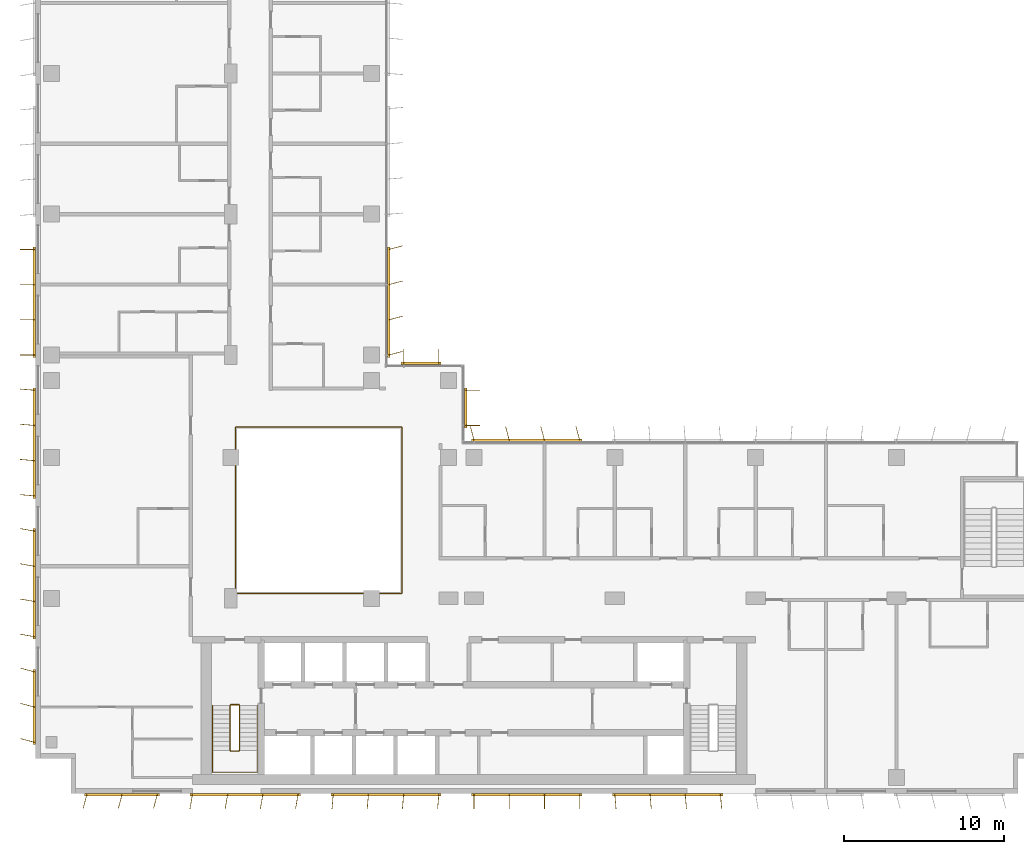
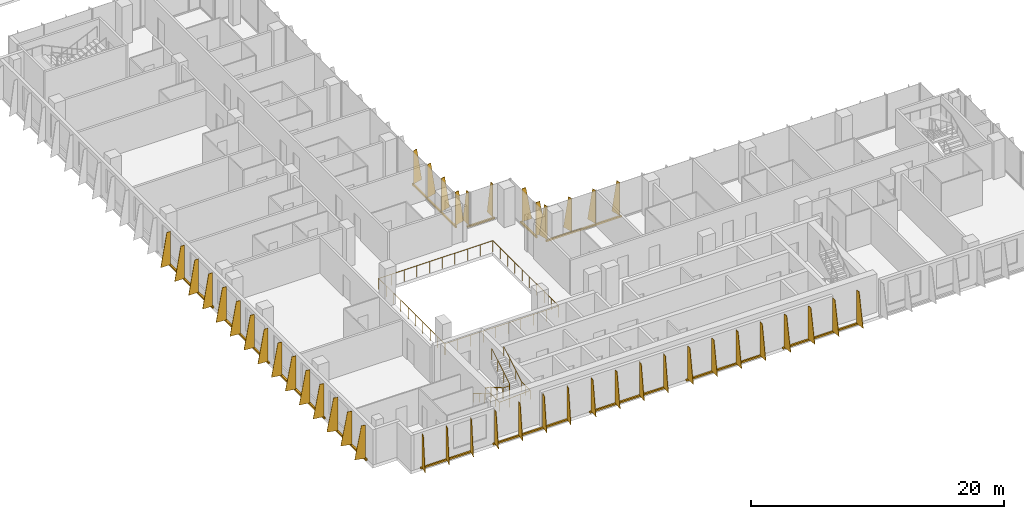
# One storey, part 19 of 21: 13 shading devices, 3 railings.
"""IFC4 building model written with IfcOpenShell, lengths in metres."""

from ifc_helpers import new_model, si_unit, direction, frame, origin, origin_2d, place, context, subcontext, project, spatial, polyline, rectangle, circle, outline, extrude, source, transform, mapped, material, layer, layer_set, type_object, element, save


model = new_model("IFC4")

# Units and contexts
model_context = context("Model", 3, precision=1e-05, world=origin(), true_north=direction((0.0, 1.0)))
body_context = subcontext(model_context, "Body", "Model", "MODEL_VIEW")
ifc_project = project(units=[si_unit("LENGTHUNIT", "METRE"), si_unit("AREAUNIT", "SQUARE_METRE"), si_unit("VOLUMEUNIT", "CUBIC_METRE"), si_unit("PLANEANGLEUNIT", "RADIAN"), si_unit("MASSUNIT", "GRAM", prefix="KILO")], contexts=[model_context])

# Site, building, storey
site_placement = place(None, origin())
site = spatial("IfcSite", under=ifc_project, at=site_placement, CompositionType="ELEMENT")
building_placement = place(site_placement, origin())
building = spatial("IfcBuilding", under=site, at=building_placement, Name="Kemantara Hotel Tower", CompositionType="ELEMENT")
storey_placement = place(building_placement, frame((0.0, 0.0, 156.800048828125)))
storey = spatial("IfcBuildingStorey", under=building, at=storey_placement, Name="L38", CompositionType="ELEMENT", Elevation=156.800048828125)

# Railings
ifc_material_1 = material(Name="Stainless steel and laminated glass balustrade", Category="steel")
railing_type_1 = type_object("IfcRailingType", Name="ATRIUM GUARD 1100", PredefinedType="GUARDRAIL", material=ifc_material_1)
railing_1_placement = place(storey_placement, frame((12.56005859375, 12.5, 0.0)))
element("IfcRailing", 1, at=railing_1_placement, inside=storey, type_object=railing_type_1, Name="ATRIUM GUARD L38", PredefinedType="GUARDRAIL", context=body_context, shape_type="SweptSolid", body=[
    extrude(circle(Radius=0.02490234375, at=origin_2d()), frame((0.0, 0.0, 1.0751953125), z_axis=(1.0, 0.0, 0.0), x_axis=(0.0, 1.0, 0.0)), (0.0, 0.0, 1.0), 10.33984375),
    extrude(circle(Radius=0.02490234375, at=origin_2d()), frame((10.33984375, 0.0, 1.0751953125), z_axis=(0.0, 1.0, 0.0), x_axis=(-1.0, 0.0, 0.0)), (0.0, 0.0, 1.0), 10.39990234375),
    extrude(circle(Radius=0.02490234375, at=origin_2d()), frame((10.33984375, 10.39990234375, 1.0751953125), z_axis=(-1.0, 0.0, 0.0), x_axis=(0.0, -1.0, 0.0)), (0.0, 0.0, 1.0), 10.39990234375),
    extrude(circle(Radius=0.02490234375, at=origin_2d()), frame((-0.06005859375, 10.39990234375, 1.0751953125), z_axis=(0.0, -1.0, 0.0), x_axis=(1.0, 0.0, 0.0)), (0.0, 0.0, 1.0), 10.39990234375),
    extrude(circle(Radius=0.02001953125, at=origin_2d()), origin(), (0.0, 0.0, 1.0), 1.050048828125),
    extrude(circle(Radius=0.02001953125, at=origin_2d()), frame((1.14892578125, 0.0, 0.0)), (0.0, 0.0, 1.0), 1.050048828125),
    extrude(circle(Radius=0.02001953125, at=origin_2d()), frame((2.2978515625, 0.0, 0.0)), (0.0, 0.0, 1.0), 1.050048828125),
    extrude(circle(Radius=0.02001953125, at=origin_2d()), frame((3.446533203125, 0.0, 0.0)), (0.0, 0.0, 1.0), 1.050048828125),
    extrude(circle(Radius=0.02001953125, at=origin_2d()), frame((4.595458984375, 0.0, 0.0)), (0.0, 0.0, 1.0), 1.050048828125),
    extrude(circle(Radius=0.02001953125, at=origin_2d()), frame((5.744384765625, 0.0, 0.0)), (0.0, 0.0, 1.0), 1.050048828125),
    extrude(circle(Radius=0.02001953125, at=origin_2d()), frame((6.893310546875, 0.0, 0.0)), (0.0, 0.0, 1.0), 1.050048828125),
    extrude(circle(Radius=0.02001953125, at=origin_2d()), frame((8.0419921875, 0.0, 0.0)), (0.0, 0.0, 1.0), 1.050048828125),
    extrude(circle(Radius=0.02001953125, at=origin_2d()), frame((9.19091796875, 0.0, 0.0)), (0.0, 0.0, 1.0), 1.050048828125),
    extrude(circle(Radius=0.02001953125, at=origin_2d()), frame((10.33984375, 0.0, 0.0)), (0.0, 0.0, 1.0), 1.050048828125),
    extrude(circle(Radius=0.02001953125, at=origin_2d()), frame((10.33984375, 1.155517578125, 0.0)), (0.0, 0.0, 1.0), 1.050048828125),
    extrude(circle(Radius=0.02001953125, at=origin_2d()), frame((10.33984375, 2.31103515625, 0.0)), (0.0, 0.0, 1.0), 1.050048828125),
    extrude(circle(Radius=0.02001953125, at=origin_2d()), frame((10.33984375, 3.466552734375, 0.0)), (0.0, 0.0, 1.0), 1.050048828125),
    extrude(circle(Radius=0.02001953125, at=origin_2d()), frame((10.33984375, 4.6220703125, 0.0)), (0.0, 0.0, 1.0), 1.050048828125),
    extrude(circle(Radius=0.02001953125, at=origin_2d()), frame((10.33984375, 5.77783203125, 0.0)), (0.0, 0.0, 1.0), 1.050048828125),
    extrude(circle(Radius=0.02001953125, at=origin_2d()), frame((10.33984375, 6.933349609375, 0.0)), (0.0, 0.0, 1.0), 1.050048828125),
    extrude(circle(Radius=0.02001953125, at=origin_2d()), frame((10.33984375, 8.0888671875, 0.0)), (0.0, 0.0, 1.0), 1.050048828125),
    extrude(circle(Radius=0.02001953125, at=origin_2d()), frame((10.33984375, 9.244384765625, 0.0)), (0.0, 0.0, 1.0), 1.050048828125),
    extrude(circle(Radius=0.02001953125, at=origin_2d()), frame((10.33984375, 10.39990234375, 0.0)), (0.0, 0.0, 1.0), 1.050048828125),
    extrude(circle(Radius=0.02001953125, at=origin_2d()), frame((9.184326171875, 10.39990234375, 0.0)), (0.0, 0.0, 1.0), 1.050048828125),
    extrude(circle(Radius=0.02001953125, at=origin_2d()), frame((8.02880859375, 10.39990234375, 0.0)), (0.0, 0.0, 1.0), 1.050048828125),
    extrude(circle(Radius=0.02001953125, at=origin_2d()), frame((6.873291015625, 10.39990234375, 0.0)), (0.0, 0.0, 1.0), 1.050048828125),
    extrude(circle(Radius=0.02001953125, at=origin_2d()), frame((5.7177734375, 10.39990234375, 0.0)), (0.0, 0.0, 1.0), 1.050048828125),
    extrude(circle(Radius=0.02001953125, at=origin_2d()), frame((4.56201171875, 10.39990234375, 0.0)), (0.0, 0.0, 1.0), 1.050048828125),
    extrude(circle(Radius=0.02001953125, at=origin_2d()), frame((3.406494140625, 10.39990234375, 0.0)), (0.0, 0.0, 1.0), 1.050048828125),
    extrude(circle(Radius=0.02001953125, at=origin_2d()), frame((2.2509765625, 10.39990234375, 0.0)), (0.0, 0.0, 1.0), 1.050048828125),
    extrude(circle(Radius=0.02001953125, at=origin_2d()), frame((1.095458984375, 10.39990234375, 0.0)), (0.0, 0.0, 1.0), 1.050048828125),
    extrude(circle(Radius=0.02001953125, at=origin_2d()), frame((-0.06005859375, 10.39990234375, 0.0)), (0.0, 0.0, 1.0), 1.050048828125),
    extrude(circle(Radius=0.02001953125, at=origin_2d()), frame((-0.06005859375, 9.244384765625, 0.0)), (0.0, 0.0, 1.0), 1.050048828125),
    extrude(circle(Radius=0.02001953125, at=origin_2d()), frame((-0.06005859375, 8.0888671875, 0.0)), (0.0, 0.0, 1.0), 1.050048828125),
    extrude(circle(Radius=0.02001953125, at=origin_2d()), frame((-0.06005859375, 6.933349609375, 0.0)), (0.0, 0.0, 1.0), 1.050048828125),
    extrude(circle(Radius=0.02001953125, at=origin_2d()), frame((-0.06005859375, 5.77783203125, 0.0)), (0.0, 0.0, 1.0), 1.050048828125),
    extrude(circle(Radius=0.02001953125, at=origin_2d()), frame((-0.06005859375, 4.6220703125, 0.0)), (0.0, 0.0, 1.0), 1.050048828125),
    extrude(circle(Radius=0.02001953125, at=origin_2d()), frame((-0.06005859375, 3.466552734375, 0.0)), (0.0, 0.0, 1.0), 1.050048828125),
    extrude(circle(Radius=0.02001953125, at=origin_2d()), frame((-0.06005859375, 2.31103515625, 0.0)), (0.0, 0.0, 1.0), 1.050048828125),
    extrude(circle(Radius=0.02001953125, at=origin_2d()), frame((-0.06005859375, 1.155517578125, 0.0)), (0.0, 0.0, 1.0), 1.050048828125),
    extrude(circle(Radius=0.02001953125, at=origin_2d()), frame((-0.06005859375, 0.0, 0.0)), (0.0, 0.0, 1.0), 1.050048828125),
])
ifc_material_2 = material(Name="Stainless steel balustrade", Category="steel")
railing_type_2 = type_object("IfcRailingType", Name="Stair guard 1100 mm", PredefinedType="GUARDRAIL", material=ifc_material_2)
railing_2_placement = place(storey_placement, frame((12.75, 5.5, 3.699951171875)))
element("IfcRailing", 2, at=railing_2_placement, inside=storey, type_object=railing_type_2, Name="L38 ST1 stair guard 1", PredefinedType="GUARDRAIL", context=body_context, shape_type="SweptSolid", body=[
    extrude(circle(Radius=0.02392578125, at=origin_2d()), frame((0.0, 0.0, 1.076171875), z_axis=(0.0, -0.857242210791, -0.514913383045), x_axis=(1.0, 0.0, 0.0)), (0.0, 0.0, 1.0), 3.266357421875),
    extrude(circle(Radius=0.02392578125, at=origin_2d()), frame((0.0, -2.800048828125, -0.60595703125), z_axis=(-0.274243871929, -0.274243871929, -0.92172696468), x_axis=(0.707106781187, -0.707106781187, 0.0)), (0.0, 0.0, 1.0), 0.1826171875),
    extrude(circle(Radius=0.02392578125, at=origin_2d()), frame((-0.050048828125, -2.85009765625, -0.77392578125), z_axis=(-1.0, 0.0, 0.0), x_axis=(0.0, -1.0, 0.0)), (0.0, 0.0, 1.0), 0.5),
    extrude(circle(Radius=0.02392578125, at=origin_2d()), frame((-0.550048828125, -2.85009765625, -0.77392578125), z_axis=(-0.707106781187, 0.707106781187, 0.0), x_axis=(-0.707106781187, -0.707106781187, 0.0)), (0.0, 0.0, 1.0), 0.07080078125),
    extrude(circle(Radius=0.02392578125, at=origin_2d()), frame((-0.60009765625, -2.800048828125, -0.77392578125), z_axis=(0.0, 0.857275202839, -0.514858452973), x_axis=(-1.0, 0.0, 0.0)), (0.0, 0.0, 1.0), 3.26611328125),
    extrude(circle(Radius=0.02392578125, at=origin_2d()), frame((-0.60009765625, 0.0, -2.45556640625), z_axis=(0.274243871929, 0.274243871929, -0.92172696468), x_axis=(-0.707106781187, 0.707106781187, 0.0)), (0.0, 0.0, 1.0), 0.1826171875),
    extrude(circle(Radius=0.02392578125, at=origin_2d()), frame((-0.550048828125, 0.050048828125, -2.6240234375), z_axis=(1.0, 0.0, 0.0), x_axis=(0.0, 1.0, 0.0)), (0.0, 0.0, 1.0), 0.5),
    extrude(circle(Radius=0.02099609375, at=origin_2d()), origin(), (0.0, 0.0, 1.0), 1.052001953125),
    extrude(circle(Radius=0.02099609375, at=origin_2d()), frame((0.0, -0.933349609375, -0.560546875)), (0.0, 0.0, 1.0), 1.052001953125),
    extrude(circle(Radius=0.02099609375, at=origin_2d()), frame((0.0, -1.86669921875, -1.121337890625)), (0.0, 0.0, 1.0), 1.052001953125),
    extrude(circle(Radius=0.02099609375, at=origin_2d()), frame((0.0, -2.800048828125, -1.681884765625)), (0.0, 0.0, 1.0), 1.052001953125),
    extrude(circle(Radius=0.02099609375, at=origin_2d()), frame((-0.050048828125, -2.85009765625, -1.85009765625)), (0.0, 0.0, 1.0), 1.052001953125),
    extrude(circle(Radius=0.02099609375, at=origin_2d()), frame((-0.550048828125, -2.85009765625, -1.85009765625)), (0.0, 0.0, 1.0), 1.052001953125),
    extrude(circle(Radius=0.02099609375, at=origin_2d()), frame((-0.60009765625, -2.800048828125, -1.85009765625)), (0.0, 0.0, 1.0), 1.052001953125),
    extrude(circle(Radius=0.02099609375, at=origin_2d()), frame((-0.60009765625, -1.86669921875, -2.41064453125)), (0.0, 0.0, 1.0), 1.052001953125),
    extrude(circle(Radius=0.02099609375, at=origin_2d()), frame((-0.60009765625, -0.933349609375, -2.97119140625)), (0.0, 0.0, 1.0), 1.052001953125),
    extrude(circle(Radius=0.02099609375, at=origin_2d()), frame((-0.60009765625, 0.0, -3.53173828125)), (0.0, 0.0, 1.0), 1.052001953125),
    extrude(circle(Radius=0.02099609375, at=origin_2d()), frame((-0.550048828125, 0.050048828125, -3.699951171875)), (0.0, 0.0, 1.0), 1.052001953125),
    extrude(circle(Radius=0.02099609375, at=origin_2d()), frame((-0.050048828125, 0.050048828125, -3.699951171875)), (0.0, 0.0, 1.0), 1.052001953125),
])
railing_type_3 = type_object("IfcRailingType", Name="Stair handrail 900 mm", PredefinedType="HANDRAIL", material=ifc_material_2)
railing_3_placement = place(storey_placement, frame((11.050048828125, 5.5, 0.168212890625)))
element("IfcRailing", 3, at=railing_3_placement, inside=storey, type_object=railing_type_3, Name="L38 ST1 stair handrail 1", PredefinedType="HANDRAIL", context=body_context, shape_type="SweptSolid", body=[
    extrude(circle(Radius=0.02392578125, at=origin_2d()), frame((0.0, 0.0, 0.8759765625), z_axis=(0.0, -0.857275202839, 0.514858452973), x_axis=(1.0, 0.0, 0.0)), (0.0, 0.0, 1.0), 3.26611328125),
    extrude(circle(Radius=0.02392578125, at=origin_2d()), frame((0.0, -2.800048828125, 2.5576171875), z_axis=(0.0, -1.0, 0.0), x_axis=(1.0, 0.0, 0.0)), (0.0, 0.0, 1.0), 1.3798828125),
    extrude(circle(Radius=0.02392578125, at=origin_2d()), frame((0.0, -4.179931640625, 2.5576171875), z_axis=(0.998200367801, 0.0, 0.059966871865), x_axis=(0.0, 1.0, 0.0)), (0.0, 0.0, 1.0), 2.80517578125),
    extrude(circle(Radius=0.02392578125, at=origin_2d()), frame((2.800048828125, -4.179931640625, 2.7255859375), z_axis=(0.0, 1.0, 0.0), x_axis=(-1.0, 0.0, 0.0)), (0.0, 0.0, 1.0), 1.3798828125),
    extrude(circle(Radius=0.02392578125, at=origin_2d()), frame((2.800048828125, -2.800048828125, 2.7255859375), z_axis=(0.0, 0.857242210791, 0.514913383045), x_axis=(-1.0, 0.0, 0.0)), (0.0, 0.0, 1.0), 3.266357421875),
    extrude(circle(Radius=0.02099609375, at=origin_2d()), origin(), (0.0, 0.0, 1.0), 0.851806640625),
    extrude(circle(Radius=0.02099609375, at=origin_2d()), frame((0.0, -0.933349609375, 0.560546875)), (0.0, 0.0, 1.0), 0.851806640625),
    extrude(circle(Radius=0.02099609375, at=origin_2d()), frame((0.0, -1.86669921875, 1.12109375)), (0.0, 0.0, 1.0), 0.851806640625),
    extrude(circle(Radius=0.02099609375, at=origin_2d()), frame((0.0, -2.800048828125, 1.681640625)), (0.0, 0.0, 1.0), 0.851806640625),
    extrude(circle(Radius=0.02099609375, at=origin_2d()), frame((0.0, -3.489990234375, 1.681640625)), (0.0, 0.0, 1.0), 0.851806640625),
    extrude(circle(Radius=0.02099609375, at=origin_2d()), frame((0.0, -4.179931640625, 1.681640625)), (0.0, 0.0, 1.0), 0.851806640625),
    extrude(circle(Radius=0.02099609375, at=origin_2d()), frame((0.933349609375, -4.179931640625, 1.73779296875)), (0.0, 0.0, 1.0), 0.851806640625),
    extrude(circle(Radius=0.02099609375, at=origin_2d()), frame((1.86669921875, -4.179931640625, 1.793701171875)), (0.0, 0.0, 1.0), 0.851806640625),
    extrude(circle(Radius=0.02099609375, at=origin_2d()), frame((2.800048828125, -4.179931640625, 1.849853515625)), (0.0, 0.0, 1.0), 0.851806640625),
    extrude(circle(Radius=0.02099609375, at=origin_2d()), frame((2.800048828125, -3.489990234375, 1.849853515625)), (0.0, 0.0, 1.0), 0.851806640625),
    extrude(circle(Radius=0.02099609375, at=origin_2d()), frame((2.800048828125, -2.800048828125, 1.849853515625)), (0.0, 0.0, 1.0), 0.851806640625),
    extrude(circle(Radius=0.02099609375, at=origin_2d()), frame((2.800048828125, -1.86669921875, 2.410400390625)), (0.0, 0.0, 1.0), 0.851806640625),
    extrude(circle(Radius=0.02099609375, at=origin_2d()), frame((2.800048828125, -0.933349609375, 2.97119140625)), (0.0, 0.0, 1.0), 0.851806640625),
    extrude(circle(Radius=0.02099609375, at=origin_2d()), frame((2.800048828125, 0.0, 3.53173828125)), (0.0, 0.0, 1.0), 0.851806640625),
])

# Shading devices
ifc_material_3 = material(Name="Perforated aluminium plate 4 mm bronze anodised", Category="aluminium")
ifc_layer_1 = layer(ifc_material_3, 0.0400390625)
ifc_layer_set_1 = layer_set([ifc_layer_1], Name="Perforated aluminium plate 4 mm bronze anodised")
shading_device_type_1 = type_object("IfcShadingDeviceType", Name="SCREEN FIN CASSETTE, 3 BLADES AT -15.0 DEG, 3200 HIGH", PredefinedType="USERDEFINED", material=ifc_layer_set_1)
shared_shape_1 = source(origin(), body_context, "Body", "SweptSolid", [
    extrude(rectangle(XDim=4.699951171875, YDim=0.14990234375, at=origin_2d()), frame((2.199951171875, -0.074951171875, -0.14990234375), z_axis=(0.0, 0.0, 1.0), x_axis=(1.0, 0.0, 0.0)), (0.0, 0.0, 1.0), 0.14990234375),
    extrude(outline(polyline([(0.0, 0.0), (0.89990234375, 0.0), (0.35009765625, 3.199951171875), (0.0, 3.199951171875), (0.0, 0.0)])), frame((0.019287109375, -0.080078125, 0.0), z_axis=(-0.966437683387, 0.256901156343, 0.0), x_axis=(-0.256901156343, -0.966437683387, 0.0)), (0.0, 0.0, 1.0), 0.039794921875),
    extrude(outline(polyline([(0.0, 0.0), (0.89990234375, 0.0), (0.35009765625, 3.199951171875), (0.0, 3.199951171875), (0.0, 0.0)])), frame((2.21923828125, -0.080078125, 0.0), z_axis=(-0.966437683387, 0.256901156343, 0.0), x_axis=(-0.256901156343, -0.966437683387, 0.0)), (0.0, 0.0, 1.0), 0.039794921875),
    extrude(outline(polyline([(0.0, 0.0), (0.89990234375, 0.0), (0.35009765625, 3.199951171875), (0.0, 3.199951171875), (0.0, 0.0)])), frame((4.41943359375, -0.080078125, 0.0), z_axis=(-0.966837822169, 0.255391122837, 0.0), x_axis=(-0.255391122837, -0.966837822169, 0.0)), (0.0, 0.0, 1.0), 0.0400390625),
])
for number, where, z_axis, x_axis, name in (
    (4, (0.0, 7.60009765625, 0.099853515625), (0.0, 0.0, 1.0), (0.0, -1.0, 0.0), "SCREEN FIN CASSETTE L38 T3-R05-7"),
    (5, (3.199951171875, 0.0, 0.099853515625), (0.0, 0.0, 1.0), (1.0, 0.0, 0.0), "SCREEN FIN CASSETTE L38 T3-R08-1"),
):
    element("IfcShadingDevice", number, at=place(storey_placement, frame(where, z_axis=z_axis, x_axis=x_axis)), inside=storey, type_object=shading_device_type_1, Name=name, ObjectType="SCREEN FIN", PredefinedType="USERDEFINED", context=body_context, shape_type="MappedRepresentation", body=[
        mapped(shared_shape_1, transform((0.0, 0.0, 0.0))),
    ])
ifc_layer_2 = layer(ifc_material_3, 0.0400390625)
ifc_layer_set_2 = layer_set([ifc_layer_2], Name="Perforated aluminium plate 4 mm bronze anodised")
shading_device_type_2 = type_object("IfcShadingDeviceType", Name="SCREEN FIN CASSETTE, 4 BLADES AT -10.0 DEG, 3200 HIGH", PredefinedType="USERDEFINED", material=ifc_layer_set_2)
shared_shape_2 = source(origin(), body_context, "Body", "SweptSolid", [
    extrude(rectangle(XDim=6.89990234375, YDim=0.14990234375, at=origin_2d()), frame((3.300048828125, -0.074951171875, -0.14990234375), z_axis=(0.0, 0.0, 1.0), x_axis=(1.0, 0.0, 0.0)), (0.0, 0.0, 1.0), 0.14990234375),
    extrude(outline(polyline([(0.0, 0.0), (0.89990234375, 0.0), (0.35009765625, 3.199951171875), (0.0, 3.199951171875), (0.0, 0.0)])), frame((0.019775390625, -0.078369140625, 0.0), z_axis=(-0.985389793052, 0.170314285219, 0.0), x_axis=(-0.170314285219, -0.985389793052, 0.0)), (0.0, 0.0, 1.0), 0.0400390625),
    extrude(outline(polyline([(0.0, 0.0), (0.89990234375, 0.0), (0.35009765625, 3.199951171875), (0.0, 3.199951171875), (0.0, 0.0)])), frame((2.2197265625, -0.078369140625, 0.0), z_axis=(-0.98521175482, 0.171341174751, 0.0), x_axis=(-0.171341174751, -0.98521175482, 0.0)), (0.0, 0.0, 1.0), 0.039794921875),
    extrude(outline(polyline([(0.0, 0.0), (0.89990234375, 0.0), (0.35009765625, 3.199951171875), (0.0, 3.199951171875), (0.0, 0.0)])), frame((4.419677734375, -0.078369140625, 0.0), z_axis=(-0.98521175482, 0.171341174751, 0.0), x_axis=(-0.171341174751, -0.98521175482, 0.0)), (0.0, 0.0, 1.0), 0.039794921875),
    extrude(outline(polyline([(0.0, 0.0), (0.89990234375, 0.0), (0.35009765625, 3.199951171875), (0.0, 3.199951171875), (0.0, 0.0)])), frame((6.61962890625, -0.078369140625, 0.0), z_axis=(-0.98521175482, 0.171341174751, 0.0), x_axis=(-0.171341174751, -0.98521175482, 0.0)), (0.0, 0.0, 1.0), 0.039794921875),
])
for number, where, z_axis, x_axis, name in (
    (6, (0.0, 16.39990234375, 0.099853515625), (0.0, 0.0, 1.0), (0.0, -1.0, 0.0), "SCREEN FIN CASSETTE L38 T3-R05-6"),
    (7, (9.800048828125, 0.0, 0.099853515625), (0.0, 0.0, 1.0), (1.0, 0.0, 0.0), "SCREEN FIN CASSETTE L38 T3-R08-2"),
):
    element("IfcShadingDevice", number, at=place(storey_placement, frame(where, z_axis=z_axis, x_axis=x_axis)), inside=storey, type_object=shading_device_type_2, Name=name, ObjectType="SCREEN FIN", PredefinedType="USERDEFINED", context=body_context, shape_type="MappedRepresentation", body=[
        mapped(shared_shape_2, transform((0.0, 0.0, 0.0))),
    ])
ifc_layer_3 = layer(ifc_material_3, 0.0400390625)
ifc_layer_set_3 = layer_set([ifc_layer_3], Name="Perforated aluminium plate 4 mm bronze anodised")
shading_device_type_3 = type_object("IfcShadingDeviceType", Name="SCREEN FIN CASSETTE, 4 BLADES AT -5.0 DEG, 3200 HIGH", PredefinedType="USERDEFINED", material=ifc_layer_set_3)
shared_shape_3 = source(origin(), body_context, "Body", "SweptSolid", [
    extrude(rectangle(XDim=6.89990234375, YDim=0.14990234375, at=origin_2d()), frame((3.300048828125, -0.074951171875, -0.14990234375), z_axis=(0.0, 0.0, 1.0), x_axis=(1.0, 0.0, 0.0)), (0.0, 0.0, 1.0), 0.14990234375),
    extrude(outline(polyline([(0.0, 0.0), (0.89990234375, 0.0), (0.35009765625, 3.199951171875), (0.0, 3.199951171875), (0.0, 0.0)])), frame((0.02001953125, -0.07666015625, 0.0), z_axis=(-0.996376129781, 0.085056498884, 0.0), x_axis=(-0.085056498884, -0.996376129781, 0.0)), (0.0, 0.0, 1.0), 0.040283203125),
    extrude(outline(polyline([(0.0, 0.0), (0.89990234375, 0.0), (0.35009765625, 3.199951171875), (0.0, 3.199951171875), (0.0, 0.0)])), frame((2.219970703125, -0.07666015625, 0.0), z_axis=(-0.996331773833, 0.085574508182, 0.0), x_axis=(-0.085574508182, -0.996331773833, 0.0)), (0.0, 0.0, 1.0), 0.0400390625),
    extrude(outline(polyline([(0.0, 0.0), (0.89990234375, 0.0), (0.35009765625, 3.199951171875), (0.0, 3.199951171875), (0.0, 0.0)])), frame((4.419921875, -0.07666015625, 0.0), z_axis=(-0.996331773833, 0.085574508182, 0.0), x_axis=(-0.085574508182, -0.996331773833, 0.0)), (0.0, 0.0, 1.0), 0.0400390625),
    extrude(outline(polyline([(0.0, 0.0), (0.89990234375, 0.0), (0.35009765625, 3.199951171875), (0.0, 3.199951171875), (0.0, 0.0)])), frame((6.619873046875, -0.07666015625, 0.0), z_axis=(-0.996331773833, 0.085574508182, 0.0), x_axis=(-0.085574508182, -0.996331773833, 0.0)), (0.0, 0.0, 1.0), 0.0400390625),
])
for number, where, z_axis, x_axis, name in (
    (8, (0.0, 25.199951171875, 0.099853515625), (0.0, 0.0, 1.0), (0.0, -1.0, 0.0), "SCREEN FIN CASSETTE L38 T3-R05-5"),
    (9, (18.60009765625, 0.0, 0.099853515625), (0.0, 0.0, 1.0), (1.0, 0.0, 0.0), "SCREEN FIN CASSETTE L38 T3-R08-3"),
):
    element("IfcShadingDevice", number, at=place(storey_placement, frame(where, z_axis=z_axis, x_axis=x_axis)), inside=storey, type_object=shading_device_type_3, Name=name, ObjectType="SCREEN FIN", PredefinedType="USERDEFINED", context=body_context, shape_type="MappedRepresentation", body=[
        mapped(shared_shape_3, transform((0.0, 0.0, 0.0))),
    ])
ifc_layer_4 = layer(ifc_material_3, 0.0400390625)
ifc_layer_set_4 = layer_set([ifc_layer_4], Name="Perforated aluminium plate 4 mm bronze anodised")
shading_device_type_4 = type_object("IfcShadingDeviceType", Name="SCREEN FIN CASSETTE, 4 BLADES AT +0.0 DEG, 3200 HIGH", PredefinedType="USERDEFINED", material=ifc_layer_set_4)
shared_shape_4 = source(origin(), body_context, "Body", "SweptSolid", [
    extrude(rectangle(XDim=6.89990234375, YDim=0.14990234375, at=origin_2d()), frame((3.300048828125, -0.074951171875, -0.14990234375), z_axis=(0.0, 0.0, 1.0), x_axis=(1.0, 0.0, 0.0)), (0.0, 0.0, 1.0), 0.14990234375),
    extrude(outline(polyline([(0.0, 0.0), (0.89990234375, 0.0), (0.35009765625, 3.199951171875), (0.0, 3.199951171875), (0.0, 0.0)])), frame((0.02001953125, -0.074951171875, 0.0), z_axis=(-1.0, 0.0, 0.0), x_axis=(0.0, -1.0, 0.0)), (0.0, 0.0, 1.0), 0.0400390625),
    extrude(outline(polyline([(0.0, 0.0), (0.89990234375, 0.0), (0.35009765625, 3.199951171875), (0.0, 3.199951171875), (0.0, 0.0)])), frame((2.219970703125, -0.074951171875, 0.0), z_axis=(-1.0, 0.0, 0.0), x_axis=(0.0, -1.0, 0.0)), (0.0, 0.0, 1.0), 0.0400390625),
    extrude(outline(polyline([(0.0, 0.0), (0.89990234375, 0.0), (0.35009765625, 3.199951171875), (0.0, 3.199951171875), (0.0, 0.0)])), frame((4.419921875, -0.074951171875, 0.0), z_axis=(-1.0, 0.0, 0.0), x_axis=(0.0, -1.0, 0.0)), (0.0, 0.0, 1.0), 0.0400390625),
    extrude(outline(polyline([(0.0, 0.0), (0.89990234375, 0.0), (0.35009765625, 3.199951171875), (0.0, 3.199951171875), (0.0, 0.0)])), frame((6.6201171875, -0.074951171875, 0.0), z_axis=(-1.0, 0.0, 0.0), x_axis=(0.0, -1.0, 0.0)), (0.0, 0.0, 1.0), 0.0400390625),
])
for number, where, z_axis, x_axis, name in (
    (10, (0.0, 34.0, 0.099853515625), (0.0, 0.0, 1.0), (0.0, -1.0, 0.0), "SCREEN FIN CASSETTE L38 T3-R05-4"),
    (11, (27.39990234375, 0.0, 0.099853515625), (0.0, 0.0, 1.0), (1.0, 0.0, 0.0), "SCREEN FIN CASSETTE L38 T3-R08-4"),
):
    element("IfcShadingDevice", number, at=place(storey_placement, frame(where, z_axis=z_axis, x_axis=x_axis)), inside=storey, type_object=shading_device_type_4, Name=name, ObjectType="SCREEN FIN", PredefinedType="USERDEFINED", context=body_context, shape_type="MappedRepresentation", body=[
        mapped(shared_shape_4, transform((0.0, 0.0, 0.0))),
    ])
ifc_layer_5 = layer(ifc_material_3, 0.0400390625)
ifc_layer_set_5 = layer_set([ifc_layer_5], Name="Perforated aluminium plate 4 mm bronze anodised")
shading_device_type_5 = type_object("IfcShadingDeviceType", Name="SCREEN FIN CASSETTE, 4 BLADES AT +5.0 DEG, 3200 HIGH", PredefinedType="USERDEFINED", material=ifc_layer_set_5)
shared_shape_5 = source(origin(), body_context, "Body", "SweptSolid", [
    extrude(rectangle(XDim=6.89990234375, YDim=0.14990234375, at=origin_2d()), frame((3.300048828125, -0.074951171875, -0.14990234375), z_axis=(0.0, 0.0, 1.0), x_axis=(1.0, 0.0, 0.0)), (0.0, 0.0, 1.0), 0.14990234375),
    extrude(outline(polyline([(0.0, 0.0), (0.89990234375, 0.0), (0.35009765625, 3.199951171875), (0.0, 3.199951171875), (0.0, 0.0)])), frame((0.02001953125, -0.0732421875, 0.0), z_axis=(-0.996376129781, -0.085056498884, 0.0), x_axis=(0.085056498884, -0.996376129781, 0.0)), (0.0, 0.0, 1.0), 0.040283203125),
    extrude(outline(polyline([(0.0, 0.0), (0.89990234375, 0.0), (0.35009765625, 3.199951171875), (0.0, 3.199951171875), (0.0, 0.0)])), frame((2.219970703125, -0.0732421875, 0.0), z_axis=(-0.996331773833, -0.085574508182, 0.0), x_axis=(0.085574508182, -0.996331773833, 0.0)), (0.0, 0.0, 1.0), 0.0400390625),
    extrude(outline(polyline([(0.0, 0.0), (0.89990234375, 0.0), (0.35009765625, 3.199951171875), (0.0, 3.199951171875), (0.0, 0.0)])), frame((4.419921875, -0.0732421875, 0.0), z_axis=(-0.996331773833, -0.085574508182, 0.0), x_axis=(0.085574508182, -0.996331773833, 0.0)), (0.0, 0.0, 1.0), 0.0400390625),
    extrude(outline(polyline([(0.0, 0.0), (0.89990234375, 0.0), (0.35009765625, 3.199951171875), (0.0, 3.199951171875), (0.0, 0.0)])), frame((6.619873046875, -0.0732421875, 0.0), z_axis=(-0.996331773833, -0.085574508182, 0.0), x_axis=(0.085574508182, -0.996331773833, 0.0)), (0.0, 0.0, 1.0), 0.0400390625),
])
shading_device_placement = place(storey_placement, frame((36.199951171875, 0.0, 0.099853515625), z_axis=(0.0, 0.0, 1.0), x_axis=(1.0, 0.0, 0.0)))
element("IfcShadingDevice", 12, at=shading_device_placement, inside=storey, type_object=shading_device_type_5, Name="SCREEN FIN CASSETTE L38 T3-R08-5", ObjectType="SCREEN FIN", PredefinedType="USERDEFINED", context=body_context, shape_type="MappedRepresentation", body=[
    mapped(shared_shape_5, transform((0.0, 0.0, 0.0))),
])
ifc_layer_6 = layer(ifc_material_3, 0.0400390625)
ifc_layer_set_6 = layer_set([ifc_layer_6], Name="Perforated aluminium plate 4 mm bronze anodised")
shading_device_type_6 = type_object("IfcShadingDeviceType", Name="SCREEN FIN CASSETTE, 4 BLADES AT +15.0 DEG, 3200 HIGH", PredefinedType="USERDEFINED", material=ifc_layer_set_6)
shared_shape_6 = source(origin(), body_context, "Body", "SweptSolid", [
    extrude(rectangle(XDim=6.89990234375, YDim=0.14990234375, at=origin_2d()), frame((3.300048828125, -0.074951171875, -0.14990234375), z_axis=(0.0, 0.0, 1.0), x_axis=(1.0, 0.0, 0.0)), (0.0, 0.0, 1.0), 0.14990234375),
    extrude(outline(polyline([(0.0, 0.0), (0.89990234375, 0.0), (0.35009765625, 3.199951171875), (0.0, 3.199951171875), (0.0, 0.0)])), frame((0.019287109375, -0.06982421875, 0.0), z_axis=(-0.966437683387, -0.256901156343, 0.0), x_axis=(0.256901156343, -0.966437683387, 0.0)), (0.0, 0.0, 1.0), 0.039794921875),
    extrude(outline(polyline([(0.0, 0.0), (0.89990234375, 0.0), (0.35009765625, 3.199951171875), (0.0, 3.199951171875), (0.0, 0.0)])), frame((2.21923828125, -0.06982421875, 0.0), z_axis=(-0.966437683387, -0.256901156343, 0.0), x_axis=(0.256901156343, -0.966437683387, 0.0)), (0.0, 0.0, 1.0), 0.039794921875),
    extrude(outline(polyline([(0.0, 0.0), (0.89990234375, 0.0), (0.35009765625, 3.199951171875), (0.0, 3.199951171875), (0.0, 0.0)])), frame((4.41943359375, -0.06982421875, 0.0), z_axis=(-0.966837822169, -0.255391122837, 0.0), x_axis=(0.255391122837, -0.966837822169, 0.0)), (0.0, 0.0, 1.0), 0.0400390625),
    extrude(outline(polyline([(0.0, 0.0), (0.89990234375, 0.0), (0.35009765625, 3.199951171875), (0.0, 3.199951171875), (0.0, 0.0)])), frame((6.619384765625, -0.06982421875, 0.0), z_axis=(-0.966837822169, -0.255391122837, 0.0), x_axis=(0.255391122837, -0.966837822169, 0.0)), (0.0, 0.0, 1.0), 0.0400390625),
])
for number, where, z_axis, x_axis, name in (
    (13, (34.0, 22.0, 0.099853515625), (0.0, 0.0, 1.0), (-1.0, 0.0, 0.0), "SCREEN FIN CASSETTE L38 T3-R14-4"),
    (14, (22.0, 27.39990234375, 0.099853515625), (0.0, 0.0, 1.0), (0.0, 1.0, 0.0), "SCREEN FIN CASSETTE L38 T3-R17-1"),
):
    element("IfcShadingDevice", number, at=place(storey_placement, frame(where, z_axis=z_axis, x_axis=x_axis)), inside=storey, type_object=shading_device_type_6, Name=name, ObjectType="SCREEN FIN", PredefinedType="USERDEFINED", context=body_context, shape_type="MappedRepresentation", body=[
        mapped(shared_shape_6, transform((0.0, 0.0, 0.0))),
    ])
ifc_layer_7 = layer(ifc_material_3, 0.0400390625)
ifc_layer_set_7 = layer_set([ifc_layer_7], Name="Perforated aluminium plate 4 mm bronze anodised")
shading_device_type_7 = type_object("IfcShadingDeviceType", Name="SCREEN FIN CASSETTE, 2 BLADES AT +0.0 DEG, 3200 HIGH", PredefinedType="USERDEFINED", material=ifc_layer_set_7)
shared_shape_7 = source(origin(), body_context, "Body", "SweptSolid", [
    extrude(rectangle(XDim=2.5, YDim=0.14990234375, at=origin_2d()), frame((1.10009765625, -0.074951171875, -0.14990234375), z_axis=(0.0, 0.0, 1.0), x_axis=(1.0, 0.0, 0.0)), (0.0, 0.0, 1.0), 0.14990234375),
    extrude(outline(polyline([(0.0, 0.0), (0.89990234375, 0.0), (0.35009765625, 3.199951171875), (0.0, 3.199951171875), (0.0, 0.0)])), frame((0.02001953125, -0.074951171875, 0.0), z_axis=(-1.0, 0.0, 0.0), x_axis=(0.0, -1.0, 0.0)), (0.0, 0.0, 1.0), 0.0400390625),
    extrude(outline(polyline([(0.0, 0.0), (0.89990234375, 0.0), (0.35009765625, 3.199951171875), (0.0, 3.199951171875), (0.0, 0.0)])), frame((2.219970703125, -0.074951171875, 0.0), z_axis=(-1.0, 0.0, 0.0), x_axis=(0.0, -1.0, 0.0)), (0.0, 0.0, 1.0), 0.0400390625),
])
for number, where, z_axis, x_axis, name in (
    (15, (26.800048828125, 23.0, 0.099853515625), (0.0, 0.0, 1.0), (0.0, 1.0, 0.0), "SCREEN FIN CASSETTE L38 T3-R15-1"),
    (16, (25.199951171875, 26.800048828125, 0.099853515625), (0.0, 0.0, 1.0), (-1.0, 0.0, 0.0), "SCREEN FIN CASSETTE L38 T3-R16-1"),
):
    element("IfcShadingDevice", number, at=place(storey_placement, frame(where, z_axis=z_axis, x_axis=x_axis)), inside=storey, type_object=shading_device_type_7, Name=name, ObjectType="SCREEN FIN", PredefinedType="USERDEFINED", context=body_context, shape_type="MappedRepresentation", body=[
        mapped(shared_shape_7, transform((0.0, 0.0, 0.0))),
    ])

save(model, "model.ifc")
